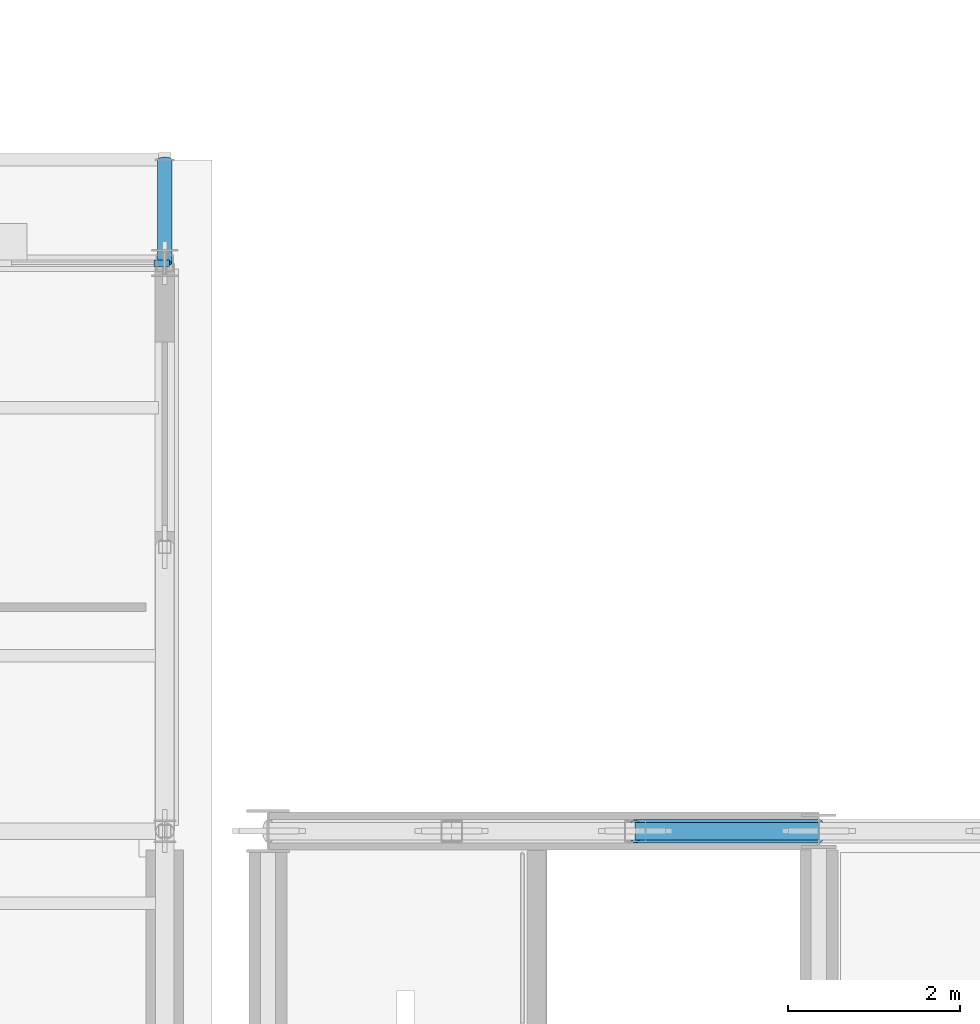
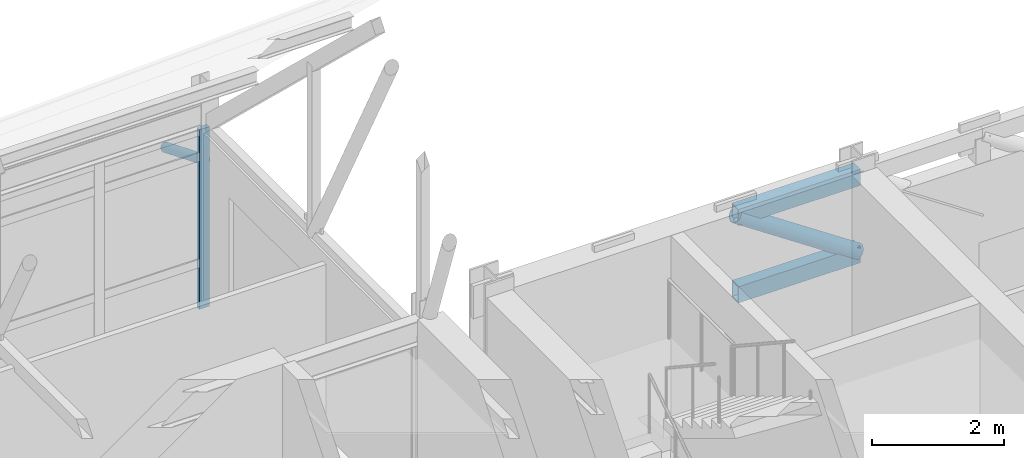
# One storey, part 58 of 144: 5 members, 1 element without a shape of its own.
"""IFC4 building model written with IfcOpenShell, lengths in metres."""

from ifc_helpers import new_model, si_unit, direction, frame, origin, origin_2d, place, context, subcontext, project, spatial, rectangle, hollow_rectangle, hollow_circle, extrude, material, layer, layer_set, material_profile, profile_set, type_object, element, aggregate, save


model = new_model("IFC4")

# Units and contexts
model_context = context("Model", 3, precision=1e-05, world=origin(), true_north=direction((0.0, 1.0)))
body_context = subcontext(model_context, "Body", "Model", "MODEL_VIEW")
ifc_project = project(units=[si_unit("LENGTHUNIT", "METRE"), si_unit("AREAUNIT", "SQUARE_METRE"), si_unit("VOLUMEUNIT", "CUBIC_METRE"), si_unit("PLANEANGLEUNIT", "RADIAN"), si_unit("MASSUNIT", "GRAM", prefix="KILO")], contexts=[model_context])

# Site, building, storey
site_placement = place(None, origin())
site = spatial("IfcSite", under=ifc_project, at=site_placement, CompositionType="ELEMENT")
building_placement = place(site_placement, origin())
building = spatial("IfcBuilding", under=site, at=building_placement, Name="Trelmorton Wharf Fire Station", CompositionType="ELEMENT")
storey_placement = place(building_placement, frame((0.0, 0.0, 5.39990234375)))
storey = spatial("IfcBuildingStorey", under=building, at=storey_placement, Name="L01", CompositionType="ELEMENT", Elevation=5.39990234375)

# Curtain wall, member
ifc_material_1 = material(Name="Anodised aluminium AW-6063", Category="aluminium")
ifc_layer = layer(ifc_material_1, 0.175048828125)
ifc_layer_set = layer_set([ifc_layer], Name="Anodised aluminium AW-6063")
curtain_wall_type = type_object("IfcCurtainWallType", Name="CW_CHIC_B", PredefinedType="USERDEFINED", material=ifc_layer_set)
curtain_wall_placement = place(storey_placement, origin())
curtain_wall = element("IfcCurtainWall", 1, at=curtain_wall_placement, inside=storey, type_object=curtain_wall_type, Name="CW-V1-L01-018", ObjectType="CHICAGO BAY CURTAIN WALL", PredefinedType="USERDEFINED")
ifc_material_profile_1 = material_profile(ifc_material_1, rectangle(XDim=0.074951171875, YDim=0.175048828125, at=origin_2d()), Name="ALU-75x175")
ifc_profile_set_1 = profile_set([ifc_material_profile_1], Name="Anodised aluminium AW-6063")
member_type_1 = type_object("IfcMemberType", Name="CWM_75x175", PredefinedType="MULLION", material=ifc_profile_set_1)
member_1_placement = place(storey_placement, frame((56.764892578125, 34.199951171875, 0.0), z_axis=(0.0, 0.0, 1.0), x_axis=(0.0, 1.0, 0.0)))
member_1 = element("IfcMember", 2, at=member_1_placement, type_object=member_type_1, Name="CW2 mullion 4", PredefinedType="MULLION", context=body_context, shape_type="SweptSolid", body=[
    extrude(rectangle(XDim=0.074951171875, YDim=0.175048828125, at=origin_2d()), origin(), (0.0, 0.0, 1.0), 3.320068359375),
])
aggregate(curtain_wall, [member_1])

# Members
ifc_material_2 = material(Name="Steel C450L0 (450 MPa)", Category="steel")
ifc_material_profile_2 = material_profile(ifc_material_2, hollow_rectangle(XDim=0.199951171875, YDim=0.300048828125, WallThickness=0.012451171875, at=origin_2d()), Name="300x200x12.5RHS")
ifc_profile_set_2 = profile_set([ifc_material_profile_2], Name="Steel C450L0 (450 MPa)")
member_type_2 = type_object("IfcMemberType", Name="TR_CHORD_300RHS", PredefinedType="CHORD", material=ifc_profile_set_2)
for number, where, z_axis, x_axis, name in (
    (3, (62.2666015625, 27.60009765625, 2.35009765625), (1.0, 0.0, 0.0), (0.0, 1.0, 0.0), "Transfer Truss TT4 Bottom Chord 3"),
    (4, (62.2666015625, 27.60009765625, 3.780029296875), (1.0, 0.0, 0.0), (0.0, 1.0, 0.0), "Transfer Truss TT4 Top Chord 3"),
):
    element("IfcMember", number, at=place(storey_placement, frame(where, z_axis=z_axis, x_axis=x_axis)), inside=storey, type_object=member_type_2, Name=name, PredefinedType="CHORD", context=body_context, shape_type="SweptSolid", body=[
        extrude(hollow_rectangle(XDim=0.199951171875, YDim=0.300048828125, WallThickness=0.012451171875, at=origin_2d()), origin(), (0.0, 0.0, 1.0), 2.13330078125),
    ])
ifc_material_3 = material(Name="Steel C350L0 (350 MPa)", Category="steel")
ifc_material_profile_3 = material_profile(ifc_material_3, hollow_circle(Radius=0.084228515625, WallThickness=0.007080078125, at=origin_2d()), Name="168.3x7.1CHS")
ifc_profile_set_3 = profile_set([ifc_material_profile_3], Name="Steel C350L0 (350 MPa)")
member_type_3 = type_object("IfcMemberType", Name="TR_DIAG_168CHS", PredefinedType="STRUT", material=ifc_profile_set_3)
member_2_placement = place(storey_placement, frame((56.800048828125, 34.199951171875, 2.7001953125), z_axis=(0.0, 0.924732639899, -0.380617320553), x_axis=(-1.0, 0.0, 0.0)))
element("IfcMember", 5, at=member_2_placement, inside=storey, type_object=member_type_3, Name="V1-TR11-EAV-N", PredefinedType="STRUT", context=body_context, shape_type="SweptSolid", body=[
    extrude(hollow_circle(Radius=0.084228515625, WallThickness=0.007080078125, at=origin_2d()), origin(), (0.0, 0.0, 1.0), 1.297607421875),
])
ifc_material_profile_4 = material_profile(ifc_material_3, hollow_circle(Radius=0.136474609375, WallThickness=0.00927734375, at=origin_2d()), Name="273.1x9.3CHS")
ifc_profile_set_4 = profile_set([ifc_material_profile_4], Name="Steel C350L0 (350 MPa)")
member_type_4 = type_object("IfcMemberType", Name="TR_DIAG_273CHS", PredefinedType="STRUT", material=ifc_profile_set_4)
member_3_placement = place(storey_placement, frame((62.2666015625, 27.60009765625, 3.780029296875), z_axis=(0.830658305664, 0.0, -0.556782524179), x_axis=(0.0, 1.0, 0.0)))
element("IfcMember", 6, at=member_3_placement, inside=storey, type_object=member_type_4, Name="TT4-DG-3", PredefinedType="STRUT", context=body_context, shape_type="SweptSolid", body=[
    extrude(hollow_circle(Radius=0.136474609375, WallThickness=0.00927734375, at=origin_2d()), origin(), (0.0, 0.0, 1.0), 2.568115234375),
])

save(model, "model.ifc")
